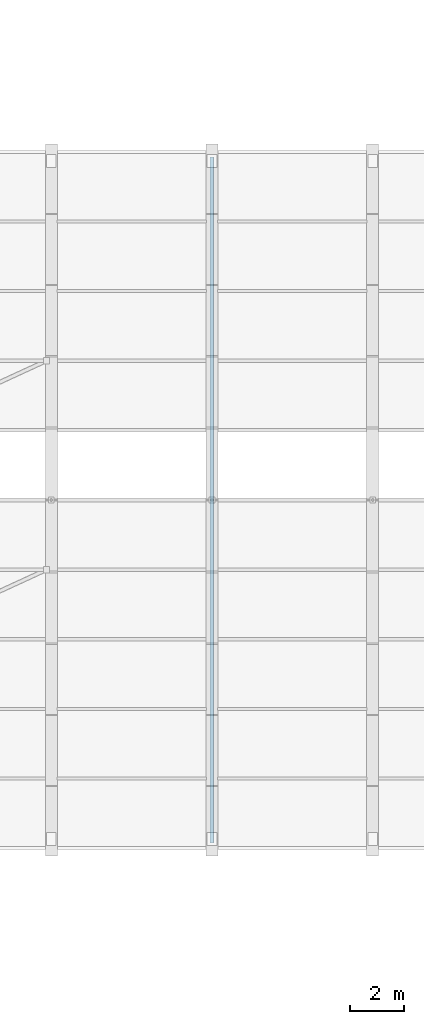
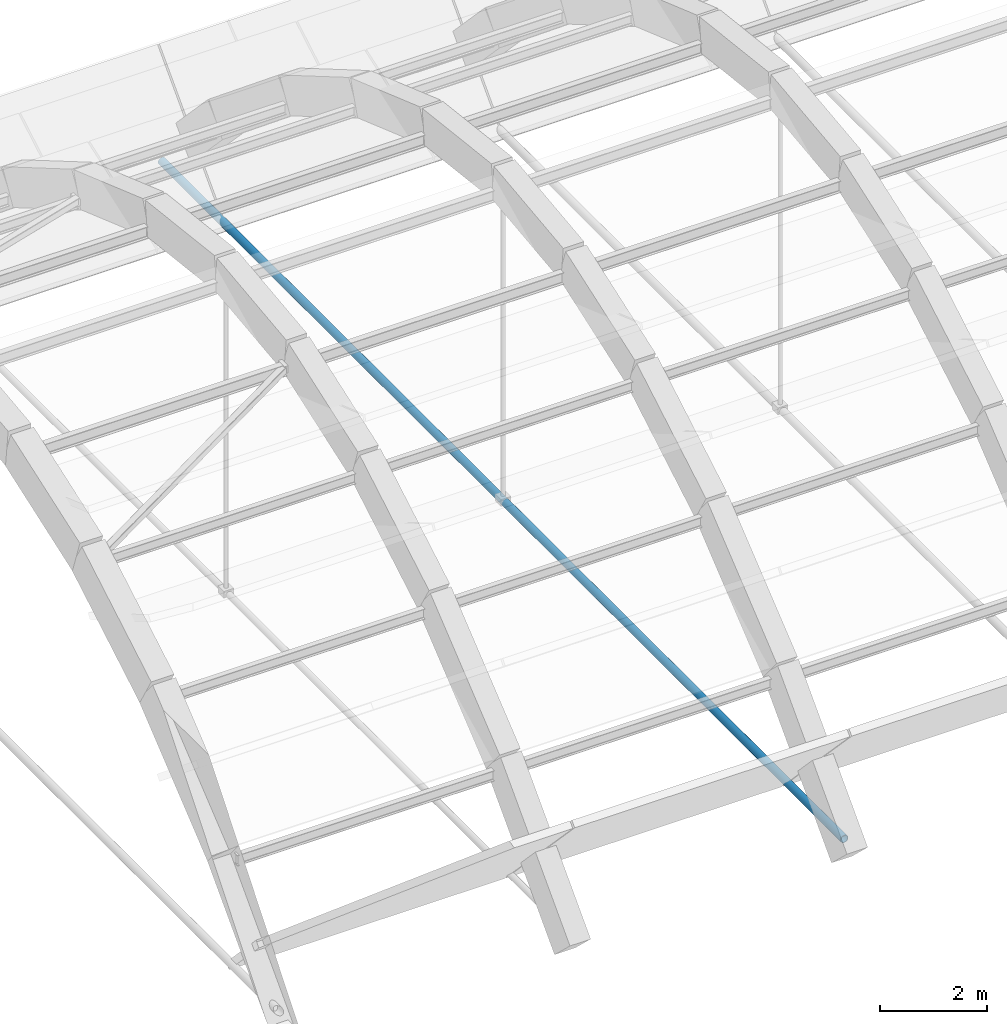
# One storey, part 25 of 123: 1 member.
"""IFC4 building model written with IfcOpenShell, lengths in metres."""

from ifc_helpers import new_model, si_unit, direction, frame, origin, origin_2d, place, context, subcontext, project, spatial, hollow_circle, extrude, material, material_profile, profile_set, type_object, element, save


model = new_model("IFC4")

# Units and contexts
model_context = context("Model", 3, precision=1e-05, world=origin(), true_north=direction((0.0, 1.0)))
body_context = subcontext(model_context, "Body", "Model", "MODEL_VIEW")
ifc_project = project(units=[si_unit("LENGTHUNIT", "METRE"), si_unit("AREAUNIT", "SQUARE_METRE"), si_unit("VOLUMEUNIT", "CUBIC_METRE"), si_unit("PLANEANGLEUNIT", "RADIAN"), si_unit("MASSUNIT", "GRAM", prefix="KILO"), si_unit("POWERUNIT", "WATT"), si_unit("THERMODYNAMICTEMPERATUREUNIT", "KELVIN")], contexts=[model_context])

# Site, building, storey
site_placement = place(None, origin())
site = spatial("IfcSite", under=ifc_project, at=site_placement, CompositionType="ELEMENT")
building_placement = place(site_placement, origin())
building = spatial("IfcBuilding", under=site, at=building_placement, Name="Ruvembo Vaulted Housing Court", CompositionType="ELEMENT")
storey_placement = place(building_placement, frame((0.0, 0.0, 7.699951171875)))
storey = spatial("IfcBuildingStorey", under=building, at=storey_placement, Name="L02", CompositionType="ELEMENT", Elevation=7.699951171875)

# Member
ifc_material = material(Name="Steel S355J2", Category="steel")
ifc_material_profile = material_profile(ifc_material, hollow_circle(Radius=0.084228515625, WallThickness=0.010009765625, at=origin_2d()), Name="CHS 168.3x10")
ifc_profile_set = profile_set([ifc_material_profile], Name="Steel S355J2")
member_type = type_object("IfcMemberType", Name="MEM-TIE-CHS168", PredefinedType="USERDEFINED", material=ifc_profile_set)
member_placement = place(storey_placement, frame((78.0, 42.199951171875, -1.25), z_axis=(0.0, 1.0, 0.0), x_axis=(-1.0, 0.0, 0.0)))
element("IfcMember", 1, at=member_placement, inside=storey, type_object=member_type, Name="Vault Springing Steel Tension Tie VT-03", ObjectType="TIE_ROD", PredefinedType="USERDEFINED", context=body_context, shape_type="SweptSolid", body=[
    extrude(hollow_circle(Radius=0.084228515625, WallThickness=0.010009765625, at=origin_2d()), origin(), (0.0, 0.0, 1.0), 25.60009765625),
])

save(model, "model.ifc")
